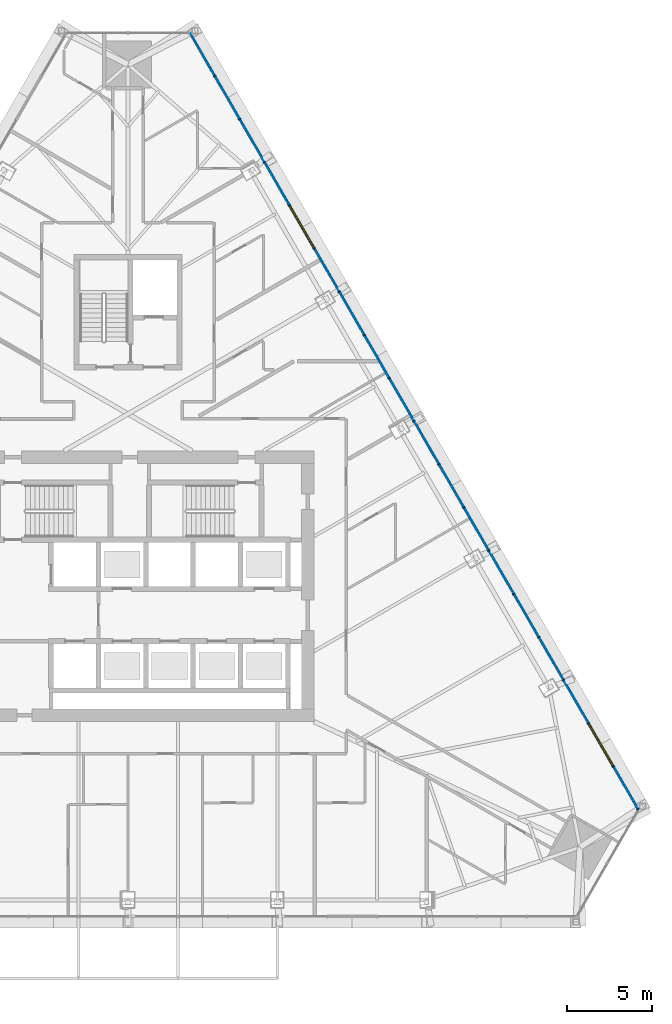
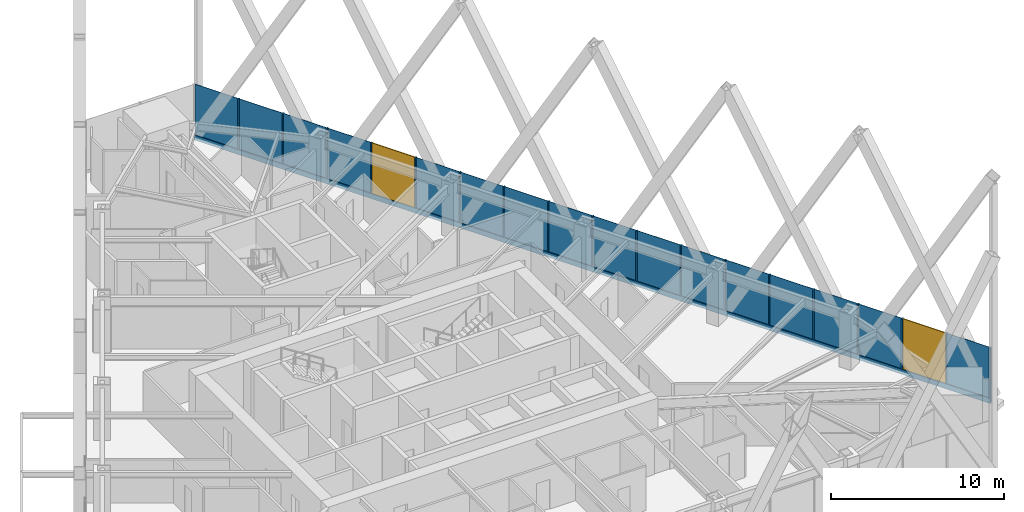
# One storey, part 10 of 19: 19 members, 16 plates, 2 windows, 2 openings, 1 element without a shape of its own.
"""IFC4 building model written with IfcOpenShell, lengths in metres."""

from ifc_helpers import new_model, si_unit, direction, frame, frame_2d, origin, origin_2d, place, context, subcontext, project, spatial, polyline, rectangle, outline, extrude, material, layer, layer_set, material_profile, profile_set, type_object, element, fill, aggregate, save


model = new_model("IFC4")

# Units and contexts
model_context = context("Model", 3, precision=1e-05, world=origin(), true_north=direction((0.0, 1.0)))
body_context = subcontext(model_context, "Body", "Model", "MODEL_VIEW")
ifc_project = project(units=[si_unit("LENGTHUNIT", "METRE"), si_unit("AREAUNIT", "SQUARE_METRE"), si_unit("VOLUMEUNIT", "CUBIC_METRE"), si_unit("PLANEANGLEUNIT", "RADIAN"), si_unit("MASSUNIT", "GRAM", prefix="KILO")], contexts=[model_context])

# Site, building, storey
site_placement = place(None, origin())
site = spatial("IfcSite", under=ifc_project, at=site_placement, CompositionType="ELEMENT")
building_placement = place(site_placement, origin())
building = spatial("IfcBuilding", under=site, at=building_placement, Name="Firuza Gate Tower and Library", CompositionType="ELEMENT")
storey_placement = place(building_placement, frame((0.0, 0.0, 187.0)))
storey = spatial("IfcBuildingStorey", under=building, at=storey_placement, Name="L43", CompositionType="ELEMENT", Elevation=187.0)

# Curtain wall, openings, members, plates, windows
ifc_material_1 = material(Name="Aluminium 6063-T6", Category="aluminium")
ifc_layer_1 = layer(ifc_material_1, 0.14990234375)
ifc_layer_set_1 = layer_set([ifc_layer_1], Name="Unitised curtain wall, hotel")
curtain_wall_type = type_object("IfcCurtainWallType", Name="Unitised curtain wall, hotel", PredefinedType="NOTDEFINED", material=ifc_layer_set_1)
curtain_wall_placement = place(storey_placement, origin())
curtain_wall = element("IfcCurtainWall", 1, at=curtain_wall_placement, inside=storey, type_object=curtain_wall_type, Name="CW2 L43 E face", PredefinedType="NOTDEFINED")
opening_1_placement = place(curtain_wall_placement, frame((103.6650390625, 64.381103515625, 0.14990234375), z_axis=(0.0, 0.0, 1.0), x_axis=(-0.5, 0.866025, 0.0)))
opening_1 = element("IfcOpeningElement", 2, at=opening_1_placement, cuts=curtain_wall, Name="Opening WD1-001", PredefinedType="OPENING", context=body_context, shape_type="SweptSolid", body=[
    extrude(rectangle(XDim=2.8662109375, YDim=3.550048828125, at=frame_2d((1.43310546875, 1.77490234375))), frame((0.0, 0.0849609375, 0.0), z_axis=(0.0, -1.0, 0.0), x_axis=(1.0, 0.0, 0.0)), (0.0, 0.0, 1.0), 0.169921875),
])
opening_2_placement = place(curtain_wall_placement, frame((85.988525390625, 94.997802734375, 0.14990234375), z_axis=(0.0, 0.0, 1.0), x_axis=(-0.5, 0.866025, 0.0)))
opening_2 = element("IfcOpeningElement", 3, at=opening_2_placement, cuts=curtain_wall, Name="Opening WD1-002", PredefinedType="OPENING", context=body_context, shape_type="SweptSolid", body=[
    extrude(rectangle(XDim=2.8662109375, YDim=3.550048828125, at=frame_2d((1.43310546875, 1.77490234375))), frame((0.0, 0.0849609375, 0.0), z_axis=(0.0, -1.0, 0.0), x_axis=(1.0, 0.0, 0.0)), (0.0, 0.0, 1.0), 0.169921875),
])
ifc_material_2 = material(Name="Aluminium 6063-T6", Category="aluminium")
ifc_material_profile_1 = material_profile(ifc_material_2, rectangle(XDim=0.14990234375, YDim=0.080078125, at=origin_2d()))
ifc_profile_set_1 = profile_set([ifc_material_profile_1], Name="Aluminium 6063-T6")
member_type_1 = type_object("IfcMemberType", Name="Curtain wall mullion 80x150", PredefinedType="MULLION", material=ifc_profile_set_1)
member_1_placement = place(storey_placement, frame((105.13818359375, 61.829833984375, 0.14990234375), z_axis=(0.0, 0.0, 1.0), x_axis=(-0.866025403784, -0.5, 0.0)))
member_1 = element("IfcMember", 4, at=member_1_placement, type_object=member_type_1, Name="Mullion", PredefinedType="MULLION", context=body_context, shape_type="SweptSolid", body=[
    extrude(rectangle(XDim=0.14990234375, YDim=0.080078125, at=origin_2d()), origin(), (0.0, 0.0, 1.0), 3.550048828125),
])
member_2_placement = place(storey_placement, frame((103.68505859375, 64.346435546875, 0.14990234375), z_axis=(0.0, 0.0, 1.0), x_axis=(-0.866025403784, -0.5, 0.0)))
member_2 = element("IfcMember", 5, at=member_2_placement, type_object=member_type_1, Name="Mullion", PredefinedType="MULLION", context=body_context, shape_type="SweptSolid", body=[
    extrude(rectangle(XDim=0.14990234375, YDim=0.080078125, at=origin_2d()), origin(), (0.0, 0.0, 1.0), 3.550048828125),
])
member_3_placement = place(storey_placement, frame((102.212158203125, 66.89794921875, 0.14990234375), z_axis=(0.0, 0.0, 1.0), x_axis=(-0.866025403784, -0.5, 0.0)))
member_3 = element("IfcMember", 6, at=member_3_placement, type_object=member_type_1, Name="Mullion", PredefinedType="MULLION", context=body_context, shape_type="SweptSolid", body=[
    extrude(rectangle(XDim=0.14990234375, YDim=0.080078125, at=origin_2d()), origin(), (0.0, 0.0, 1.0), 3.550048828125),
])
member_4_placement = place(storey_placement, frame((100.739013671875, 69.44921875, 0.14990234375), z_axis=(0.0, 0.0, 1.0), x_axis=(-0.866025403784, -0.5, 0.0)))
member_4 = element("IfcMember", 7, at=member_4_placement, type_object=member_type_1, Name="Mullion", PredefinedType="MULLION", context=body_context, shape_type="SweptSolid", body=[
    extrude(rectangle(XDim=0.14990234375, YDim=0.080078125, at=origin_2d()), origin(), (0.0, 0.0, 1.0), 3.550048828125),
])
member_5_placement = place(storey_placement, frame((99.265869140625, 72.000732421875, 0.14990234375), z_axis=(0.0, 0.0, 1.0), x_axis=(-0.866025403784, -0.5, 0.0)))
member_5 = element("IfcMember", 8, at=member_5_placement, type_object=member_type_1, Name="Mullion", PredefinedType="MULLION", context=body_context, shape_type="SweptSolid", body=[
    extrude(rectangle(XDim=0.14990234375, YDim=0.080078125, at=origin_2d()), origin(), (0.0, 0.0, 1.0), 3.550048828125),
])
member_6_placement = place(storey_placement, frame((97.79296875, 74.552001953125, 0.14990234375), z_axis=(0.0, 0.0, 1.0), x_axis=(-0.866025403784, -0.5, 0.0)))
member_6 = element("IfcMember", 9, at=member_6_placement, type_object=member_type_1, Name="Mullion", PredefinedType="MULLION", context=body_context, shape_type="SweptSolid", body=[
    extrude(rectangle(XDim=0.14990234375, YDim=0.080078125, at=origin_2d()), origin(), (0.0, 0.0, 1.0), 3.550048828125),
])
member_7_placement = place(storey_placement, frame((96.31982421875, 77.103515625, 0.14990234375), z_axis=(0.0, 0.0, 1.0), x_axis=(-0.866025403784, -0.5, 0.0)))
member_7 = element("IfcMember", 10, at=member_7_placement, type_object=member_type_1, Name="Mullion", PredefinedType="MULLION", context=body_context, shape_type="SweptSolid", body=[
    extrude(rectangle(XDim=0.14990234375, YDim=0.080078125, at=origin_2d()), origin(), (0.0, 0.0, 1.0), 3.550048828125),
])
member_8_placement = place(storey_placement, frame((94.846923828125, 79.65478515625, 0.14990234375), z_axis=(0.0, 0.0, 1.0), x_axis=(-0.866025403784, -0.5, 0.0)))
member_8 = element("IfcMember", 11, at=member_8_placement, type_object=member_type_1, Name="Mullion", PredefinedType="MULLION", context=body_context, shape_type="SweptSolid", body=[
    extrude(rectangle(XDim=0.14990234375, YDim=0.080078125, at=origin_2d()), origin(), (0.0, 0.0, 1.0), 3.550048828125),
])
member_9_placement = place(storey_placement, frame((93.373779296875, 82.206298828125, 0.14990234375), z_axis=(0.0, 0.0, 1.0), x_axis=(-0.866025403784, -0.5, 0.0)))
member_9 = element("IfcMember", 12, at=member_9_placement, type_object=member_type_1, Name="Mullion", PredefinedType="MULLION", context=body_context, shape_type="SweptSolid", body=[
    extrude(rectangle(XDim=0.14990234375, YDim=0.080078125, at=origin_2d()), origin(), (0.0, 0.0, 1.0), 3.550048828125),
])
member_10_placement = place(storey_placement, frame((91.900634765625, 84.757568359375, 0.14990234375), z_axis=(0.0, 0.0, 1.0), x_axis=(-0.866025403784, -0.5, 0.0)))
member_10 = element("IfcMember", 13, at=member_10_placement, type_object=member_type_1, Name="Mullion", PredefinedType="MULLION", context=body_context, shape_type="SweptSolid", body=[
    extrude(rectangle(XDim=0.14990234375, YDim=0.080078125, at=origin_2d()), origin(), (0.0, 0.0, 1.0), 3.550048828125),
])
member_11_placement = place(storey_placement, frame((90.427734375, 87.30908203125, 0.14990234375), z_axis=(0.0, 0.0, 1.0), x_axis=(-0.866025403784, -0.5, 0.0)))
member_11 = element("IfcMember", 14, at=member_11_placement, type_object=member_type_1, Name="Mullion", PredefinedType="MULLION", context=body_context, shape_type="SweptSolid", body=[
    extrude(rectangle(XDim=0.14990234375, YDim=0.080078125, at=origin_2d()), origin(), (0.0, 0.0, 1.0), 3.550048828125),
])
member_12_placement = place(storey_placement, frame((88.95458984375, 89.8603515625, 0.14990234375), z_axis=(0.0, 0.0, 1.0), x_axis=(-0.866025403784, -0.5, 0.0)))
member_12 = element("IfcMember", 15, at=member_12_placement, type_object=member_type_1, Name="Mullion", PredefinedType="MULLION", context=body_context, shape_type="SweptSolid", body=[
    extrude(rectangle(XDim=0.14990234375, YDim=0.080078125, at=origin_2d()), origin(), (0.0, 0.0, 1.0), 3.550048828125),
])
member_13_placement = place(storey_placement, frame((87.481689453125, 92.411865234375, 0.14990234375), z_axis=(0.0, 0.0, 1.0), x_axis=(-0.866025403784, -0.5, 0.0)))
member_13 = element("IfcMember", 16, at=member_13_placement, type_object=member_type_1, Name="Mullion", PredefinedType="MULLION", context=body_context, shape_type="SweptSolid", body=[
    extrude(rectangle(XDim=0.14990234375, YDim=0.080078125, at=origin_2d()), origin(), (0.0, 0.0, 1.0), 3.550048828125),
])
member_14_placement = place(storey_placement, frame((86.008544921875, 94.963134765625, 0.14990234375), z_axis=(0.0, 0.0, 1.0), x_axis=(-0.866025403784, -0.5, 0.0)))
member_14 = element("IfcMember", 17, at=member_14_placement, type_object=member_type_1, Name="Mullion", PredefinedType="MULLION", context=body_context, shape_type="SweptSolid", body=[
    extrude(rectangle(XDim=0.14990234375, YDim=0.080078125, at=origin_2d()), origin(), (0.0, 0.0, 1.0), 3.550048828125),
])
member_15_placement = place(storey_placement, frame((84.535400390625, 97.5146484375, 0.14990234375), z_axis=(0.0, 0.0, 1.0), x_axis=(-0.866025403784, -0.5, 0.0)))
member_15 = element("IfcMember", 18, at=member_15_placement, type_object=member_type_1, Name="Mullion", PredefinedType="MULLION", context=body_context, shape_type="SweptSolid", body=[
    extrude(rectangle(XDim=0.14990234375, YDim=0.080078125, at=origin_2d()), origin(), (0.0, 0.0, 1.0), 3.550048828125),
])
member_16_placement = place(storey_placement, frame((83.0625, 100.06591796875, 0.14990234375), z_axis=(0.0, 0.0, 1.0), x_axis=(-0.866025403784, -0.5, 0.0)))
member_16 = element("IfcMember", 19, at=member_16_placement, type_object=member_type_1, Name="Mullion", PredefinedType="MULLION", context=body_context, shape_type="SweptSolid", body=[
    extrude(rectangle(XDim=0.14990234375, YDim=0.080078125, at=origin_2d()), origin(), (0.0, 0.0, 1.0), 3.550048828125),
])
member_17_placement = place(storey_placement, frame((81.58935546875, 102.617431640625, 0.14990234375), z_axis=(0.0, 0.0, 1.0), x_axis=(-0.866025403784, -0.5, 0.0)))
member_17 = element("IfcMember", 20, at=member_17_placement, type_object=member_type_1, Name="Mullion", PredefinedType="MULLION", context=body_context, shape_type="SweptSolid", body=[
    extrude(rectangle(XDim=0.14990234375, YDim=0.080078125, at=origin_2d()), origin(), (0.0, 0.0, 1.0), 3.550048828125),
])
member_18_placement = place(storey_placement, frame((80.116455078125, 105.168701171875, 0.14990234375), z_axis=(0.0, 0.0, 1.0), x_axis=(-0.866025403784, -0.5, 0.0)))
member_18 = element("IfcMember", 21, at=member_18_placement, type_object=member_type_1, Name="Mullion", PredefinedType="MULLION", context=body_context, shape_type="SweptSolid", body=[
    extrude(rectangle(XDim=0.14990234375, YDim=0.080078125, at=origin_2d()), origin(), (0.0, 0.0, 1.0), 3.550048828125),
])
ifc_material_3 = material(Name="Aluminium 6063-T6", Category="aluminium")
ifc_material_profile_2 = material_profile(ifc_material_3, rectangle(XDim=0.14990234375, YDim=0.35009765625, at=origin_2d()))
ifc_profile_set_2 = profile_set([ifc_material_profile_2], Name="Aluminium 6063-T6")
member_type_2 = type_object("IfcMemberType", Name="Curtain wall transom 350x150", PredefinedType="USERDEFINED", material=ifc_profile_set_2)
member_19_placement = place(storey_placement, frame((105.158203125, 61.795166015625, -0.02490234375), z_axis=(-0.500000753464, 0.866024968771, 0.0), x_axis=(-0.866024968771, -0.500000753464, 0.0)))
member_19 = element("IfcMember", 22, at=member_19_placement, type_object=member_type_2, Name="Transom", ObjectType="TRANSOM", PredefinedType="USERDEFINED", context=body_context, shape_type="SweptSolid", body=[
    extrude(rectangle(XDim=0.14990234375, YDim=0.35009765625, at=origin_2d()), origin(), (0.0, 0.0, 1.0), 53.02978515625),
])
ifc_material_4 = material(Name="Fritted glass", Category="glass")
ifc_layer_2 = layer(ifc_material_4, 0.030029296875)
ifc_layer_set_2 = layer_set([ifc_layer_2], Name="Fritted glass unit, hotel")
plate_type_1 = type_object("IfcPlateType", Name="Fritted glass unit, hotel", PredefinedType="CURTAIN_PANEL", material=ifc_layer_set_2)
plate_1_placement = place(storey_placement, frame((99.259033203125, 72.042724609375, 0.14990234375), z_axis=(0.866022459948, 0.500005098839, 0.0), x_axis=(-0.500005098839, 0.866022459948, 0.0)))
plate_1 = element("IfcPlate", 23, at=plate_1_placement, type_object=plate_type_1, Name="Glass unit", PredefinedType="CURTAIN_PANEL", context=body_context, shape_type="SweptSolid", body=[
    extrude(outline(polyline([(0.0, 0.0), (2.8661817091015296, 0.0), (2.8661817091015296, 3.550048828125), (0.0, 3.550048828125), (0.0, 0.0)])), origin(), (0.0, 0.0, -1.0), 0.030029296875),
])
plate_2_placement = place(storey_placement, frame((94.83984375, 79.697021484375, 0.14990234375), z_axis=(0.866022459948, 0.500005098839, 0.0), x_axis=(-0.500005098839, 0.866022459948, 0.0)))
plate_2 = element("IfcPlate", 24, at=plate_2_placement, type_object=plate_type_1, Name="Glass unit", PredefinedType="CURTAIN_PANEL", context=body_context, shape_type="SweptSolid", body=[
    extrude(outline(polyline([(0.0, 0.0), (2.8661817091015296, 0.0), (2.8661817091015296, 3.550048828125), (0.0, 3.550048828125), (0.0, 0.0)])), origin(), (0.0, 0.0, -1.0), 0.030029296875),
])
plate_3_placement = place(storey_placement, frame((90.420654296875, 87.35107421875, 0.14990234375), z_axis=(0.866022459948, 0.500005098839, 0.0), x_axis=(-0.500005098839, 0.866022459948, 0.0)))
plate_3 = element("IfcPlate", 25, at=plate_3_placement, type_object=plate_type_1, Name="Glass unit", PredefinedType="CURTAIN_PANEL", context=body_context, shape_type="SweptSolid", body=[
    extrude(outline(polyline([(0.0, 0.0), (2.8661817091015296, 0.0), (2.8661817091015296, 3.550048828125), (0.0, 3.550048828125), (0.0, 0.0)])), origin(), (0.0, 0.0, -1.0), 0.030029296875),
])
plate_4_placement = place(storey_placement, frame((81.582275390625, 102.65966796875, 0.14990234375), z_axis=(0.866038050133, 0.499978095242, 0.0), x_axis=(-0.499978095242, 0.866038050133, 0.0)))
plate_4 = element("IfcPlate", 26, at=plate_4_placement, type_object=plate_type_1, Name="Glass unit", PredefinedType="CURTAIN_PANEL", context=body_context, shape_type="SweptSolid", body=[
    extrude(outline(polyline([(0.0, 0.0), (2.865848207672718, 0.0), (2.865848207672718, 3.550048828125), (0.0, 3.550048828125), (0.0, 0.0)])), origin(), (0.0, 0.0, -1.0), 0.030029296875),
])
ifc_material_5 = material(Name="Glazed ceramic tile")
ifc_layer_3 = layer(ifc_material_5, 0.030029296875)
ifc_layer_set_3 = layer_set([ifc_layer_3], Name="Opaque ceramic panel, hotel")
plate_type_2 = type_object("IfcPlateType", Name="Opaque ceramic panel, hotel", PredefinedType="CURTAIN_PANEL", material=ifc_layer_set_3)
plate_5_placement = place(storey_placement, frame((105.151123046875, 61.837158203125, 0.14990234375), z_axis=(0.866022459948, 0.500005098839, 0.0), x_axis=(-0.500005098839, 0.866022459948, 0.0)))
plate_5 = element("IfcPlate", 27, at=plate_5_placement, type_object=plate_type_2, Name="Opaque ceramic panel", PredefinedType="CURTAIN_PANEL", context=body_context, shape_type="SweptSolid", body=[
    extrude(outline(polyline([(0.0, 0.0), (2.8661817091015296, 0.0), (2.8661817091015296, 3.550048828125), (0.0, 3.550048828125), (0.0, 0.0)])), origin(), (0.0, 0.0, -1.0), 0.030029296875),
])
plate_6_placement = place(storey_placement, frame((102.205078125, 66.93994140625, 0.14990234375), z_axis=(0.866022459948, 0.500005098839, 0.0), x_axis=(-0.500005098839, 0.866022459948, 0.0)))
plate_6 = element("IfcPlate", 28, at=plate_6_placement, type_object=plate_type_2, Name="Opaque ceramic panel", PredefinedType="CURTAIN_PANEL", context=body_context, shape_type="SweptSolid", body=[
    extrude(outline(polyline([(0.0, 0.0), (2.8661817091015296, 0.0), (2.8661817091015296, 3.550048828125), (0.0, 3.550048828125), (0.0, 0.0)])), origin(), (0.0, 0.0, -1.0), 0.030029296875),
])
plate_7_placement = place(storey_placement, frame((100.73193359375, 69.491455078125, 0.14990234375), z_axis=(0.866059343325, 0.499941210384, 0.0), x_axis=(-0.499941210384, 0.866059343325, 0.0)))
plate_7 = element("IfcPlate", 29, at=plate_7_placement, type_object=plate_type_2, Name="Opaque ceramic panel", PredefinedType="CURTAIN_PANEL", context=body_context, shape_type="SweptSolid", body=[
    extrude(outline(polyline([(0.0, 0.0), (2.8660596453429132, 0.0), (2.8660596453429132, 3.550048828125001), (0.0, 3.550048828125001), (0.0, 0.0)])), origin(), (0.0, 0.0, -1.0), 0.030029296875),
])
plate_8_placement = place(storey_placement, frame((97.785888671875, 74.59423828125, 0.14990234375), z_axis=(0.866022459948, 0.500005098839, 0.0), x_axis=(-0.500005098839, 0.866022459948, 0.0)))
plate_8 = element("IfcPlate", 30, at=plate_8_placement, type_object=plate_type_2, Name="Opaque ceramic panel", PredefinedType="CURTAIN_PANEL", context=body_context, shape_type="SweptSolid", body=[
    extrude(outline(polyline([(0.0, 0.0), (2.8661817091015296, 0.0), (2.8661817091015296, 3.550048828125), (0.0, 3.550048828125), (0.0, 0.0)])), origin(), (0.0, 0.0, -1.0), 0.030029296875),
])
plate_9_placement = place(storey_placement, frame((96.31298828125, 77.1455078125, 0.14990234375), z_axis=(0.866022459948, 0.500005098839, 0.0), x_axis=(-0.500005098839, 0.866022459948, 0.0)))
plate_9 = element("IfcPlate", 31, at=plate_9_placement, type_object=plate_type_2, Name="Opaque ceramic panel", PredefinedType="CURTAIN_PANEL", context=body_context, shape_type="SweptSolid", body=[
    extrude(outline(polyline([(0.0, 0.0), (2.8661817091015296, 0.0), (2.8661817091015296, 3.550048828125), (0.0, 3.550048828125), (0.0, 0.0)])), origin(), (0.0, 0.0, -1.0), 0.030029296875),
])
plate_10_placement = place(storey_placement, frame((93.36669921875, 82.248291015625, 0.14990234375), z_axis=(0.866059343325, 0.499941210384, 0.0), x_axis=(-0.499941210384, 0.866059343325, 0.0)))
plate_10 = element("IfcPlate", 32, at=plate_10_placement, type_object=plate_type_2, Name="Opaque ceramic panel", PredefinedType="CURTAIN_PANEL", context=body_context, shape_type="SweptSolid", body=[
    extrude(outline(polyline([(0.0, 0.0), (2.8660596453429132, 0.0), (2.8660596453429132, 3.550048828125001), (0.0, 3.550048828125001), (0.0, 0.0)])), origin(), (0.0, 0.0, -1.0), 0.030029296875),
])
plate_11_placement = place(storey_placement, frame((91.893798828125, 84.7998046875, 0.14990234375), z_axis=(0.866022459948, 0.500005098839, 0.0), x_axis=(-0.500005098839, 0.866022459948, 0.0)))
plate_11 = element("IfcPlate", 33, at=plate_11_placement, type_object=plate_type_2, Name="Opaque ceramic panel", PredefinedType="CURTAIN_PANEL", context=body_context, shape_type="SweptSolid", body=[
    extrude(outline(polyline([(0.0, 0.0), (2.8661817091015296, 0.0), (2.8661817091015296, 3.550048828125), (0.0, 3.550048828125), (0.0, 0.0)])), origin(), (0.0, 0.0, -1.0), 0.030029296875),
])
plate_12_placement = place(storey_placement, frame((88.947509765625, 89.902587890625, 0.14990234375), z_axis=(0.866059343325, 0.499941210384, 0.0), x_axis=(-0.499941210384, 0.866059343325, 0.0)))
plate_12 = element("IfcPlate", 34, at=plate_12_placement, type_object=plate_type_2, Name="Opaque ceramic panel", PredefinedType="CURTAIN_PANEL", context=body_context, shape_type="SweptSolid", body=[
    extrude(outline(polyline([(0.0, 0.0), (2.8660596453429132, 0.0), (2.8660596453429132, 3.550048828125001), (0.0, 3.550048828125001), (0.0, 0.0)])), origin(), (0.0, 0.0, -1.0), 0.030029296875),
])
plate_13_placement = place(storey_placement, frame((87.474609375, 92.453857421875, 0.14990234375), z_axis=(0.866022459948, 0.500005098839, 0.0), x_axis=(-0.500005098839, 0.866022459948, 0.0)))
plate_13 = element("IfcPlate", 35, at=plate_13_placement, type_object=plate_type_2, Name="Opaque ceramic panel", PredefinedType="CURTAIN_PANEL", context=body_context, shape_type="SweptSolid", body=[
    extrude(outline(polyline([(0.0, 0.0), (2.8661817091015296, 0.0), (2.8661817091015296, 3.550048828125), (0.0, 3.550048828125), (0.0, 0.0)])), origin(), (0.0, 0.0, -1.0), 0.030029296875),
])
plate_14_placement = place(storey_placement, frame((84.528564453125, 97.556640625, 0.14990234375), z_axis=(0.866022459948, 0.500005098839, 0.0), x_axis=(-0.500005098839, 0.866022459948, 0.0)))
plate_14 = element("IfcPlate", 36, at=plate_14_placement, type_object=plate_type_2, Name="Opaque ceramic panel", PredefinedType="CURTAIN_PANEL", context=body_context, shape_type="SweptSolid", body=[
    extrude(outline(polyline([(0.0, 0.0), (2.8661817091015296, 0.0), (2.8661817091015296, 3.550048828125), (0.0, 3.550048828125), (0.0, 0.0)])), origin(), (0.0, 0.0, -1.0), 0.030029296875),
])
plate_15_placement = place(storey_placement, frame((83.055419921875, 100.108154296875, 0.14990234375), z_axis=(0.866022459948, 0.500005098839, 0.0), x_axis=(-0.500005098839, 0.866022459948, 0.0)))
plate_15 = element("IfcPlate", 37, at=plate_15_placement, type_object=plate_type_2, Name="Opaque ceramic panel", PredefinedType="CURTAIN_PANEL", context=body_context, shape_type="SweptSolid", body=[
    extrude(outline(polyline([(0.0, 0.0), (2.8661817091015296, 0.0), (2.8661817091015296, 3.550048828125), (0.0, 3.550048828125), (0.0, 0.0)])), origin(), (0.0, 0.0, -1.0), 0.030029296875),
])
plate_16_placement = place(storey_placement, frame((80.109375, 105.2109375, 0.14990234375), z_axis=(0.866022459948, 0.500005098839, 0.0), x_axis=(-0.500005098839, 0.866022459948, 0.0)))
plate_16 = element("IfcPlate", 38, at=plate_16_placement, type_object=plate_type_2, Name="Opaque ceramic panel", PredefinedType="CURTAIN_PANEL", context=body_context, shape_type="SweptSolid", body=[
    extrude(outline(polyline([(0.0, 0.0), (2.8661817091015296, 0.0), (2.8661817091015296, 3.550048828125), (0.0, 3.550048828125), (0.0, 0.0)])), origin(), (0.0, 0.0, -1.0), 0.030029296875),
])
aggregate(curtain_wall, [member_1, member_2, member_3, member_4, member_5, member_6, member_7, member_8, member_9, member_10, member_11, member_12, member_13, member_14, member_15, member_16, member_17, member_18, member_19, plate_5, plate_6, plate_7, plate_1, plate_8, plate_9, plate_2, plate_10, plate_11, plate_3, plate_12, plate_13, plate_14, plate_15, plate_4, plate_16])
ifc_material_6 = material(Name="Aluminium 6063-T6 and glass", Category="aluminium")
ifc_layer_4 = layer(ifc_material_6, 0.030029296875)
ifc_layer_set_4 = layer_set([ifc_layer_4], Name="Operable glazed unit")
window_type = type_object("IfcWindowType", Name="Operable glazed unit", PartitioningType="SINGLE_PANEL", PredefinedType="WINDOW", material=ifc_layer_set_4)
window_1_placement = place(opening_1_placement, origin())
window_1 = element("IfcWindow", 39, at=window_1_placement, inside=storey, type_object=window_type, Name="Operable glazed unit", OverallHeight=3.550048828125, OverallWidth=2.8662109375, PartitioningType="SINGLE_PANEL", PredefinedType="WINDOW", context=body_context, shape_type="SweptSolid", body=[
    extrude(rectangle(XDim=2.8662109375, YDim=3.550048828125, at=frame_2d((1.43310546875, 1.77490234375))), frame((0.0, 0.030029296875, 0.0), z_axis=(0.0, -1.0, 0.0), x_axis=(1.0, 0.0, 0.0)), (0.0, 0.0, 1.0), 0.06005859375),
])
fill(opening_1, window_1)
window_2_placement = place(opening_2_placement, origin())
window_2 = element("IfcWindow", 40, at=window_2_placement, inside=storey, type_object=window_type, Name="Operable glazed unit", OverallHeight=3.550048828125, OverallWidth=2.8662109375, PartitioningType="SINGLE_PANEL", PredefinedType="WINDOW", context=body_context, shape_type="SweptSolid", body=[
    extrude(rectangle(XDim=2.8662109375, YDim=3.550048828125, at=frame_2d((1.43310546875, 1.77490234375))), frame((0.0, 0.030029296875, 0.0), z_axis=(0.0, -1.0, 0.0), x_axis=(1.0, 0.0, 0.0)), (0.0, 0.0, 1.0), 0.06005859375),
])
fill(opening_2, window_2)

save(model, "model.ifc")
